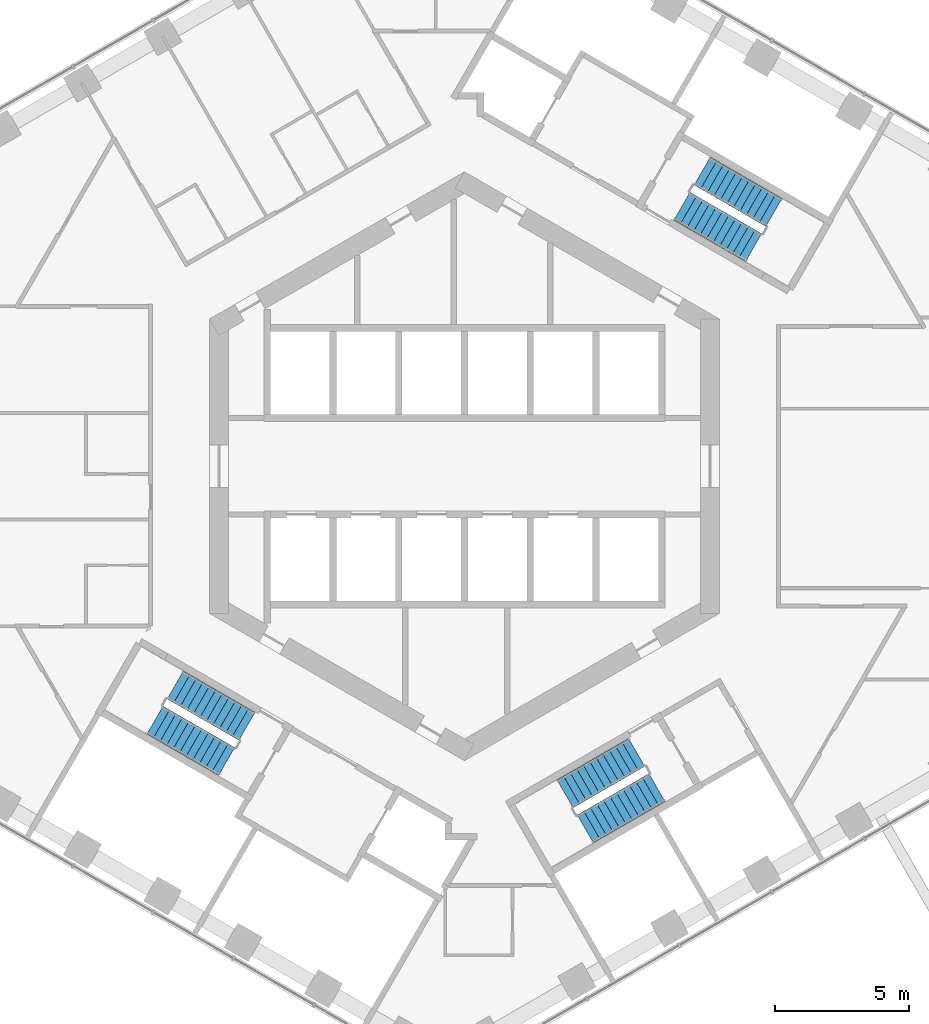
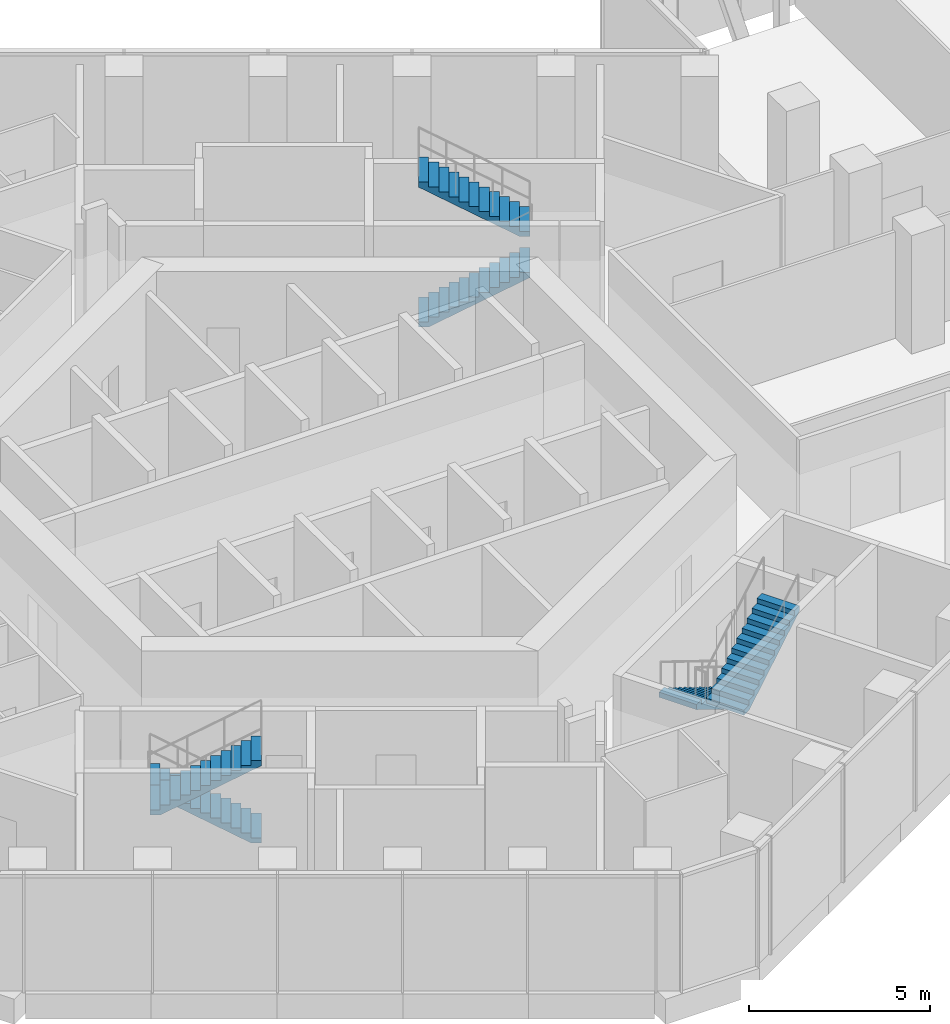
# One storey, part 22 of 24: 6 stair flights, 3 elements without a shape of their own.
"""IFC4 building model written with IfcOpenShell, lengths in metres."""

from ifc_helpers import new_model, si_unit, direction, frame, origin, place, context, subcontext, project, spatial, triangles, material, type_object, element, aggregate, save


model = new_model("IFC4")

# Units and contexts
model_context = context("Model", 3, precision=1e-05, world=origin(), true_north=direction((0.0, 1.0)))
body_context = subcontext(model_context, "Body", "Model", "MODEL_VIEW")
ifc_project = project(units=[si_unit("LENGTHUNIT", "METRE"), si_unit("AREAUNIT", "SQUARE_METRE"), si_unit("VOLUMEUNIT", "CUBIC_METRE"), si_unit("PLANEANGLEUNIT", "RADIAN"), si_unit("MASSUNIT", "GRAM", prefix="KILO")], contexts=[model_context])

# Site, building, storey
site_placement = place(None, origin())
site = spatial("IfcSite", under=ifc_project, at=site_placement, CompositionType="ELEMENT")
building_placement = place(site_placement, origin())
building = spatial("IfcBuilding", under=site, at=building_placement, Name="Ayvan Gate Tower", CompositionType="ELEMENT")
storey_placement = place(building_placement, frame((0.0, 0.0, 124.5)))
storey = spatial("IfcBuildingStorey", under=building, at=storey_placement, Name="L33", CompositionType="ELEMENT", Elevation=124.5)

# Stair, stair flights
ifc_material = material(Name="Concrete C40/50", Category="concrete")
stair_type = type_object("IfcStairType", Name="ST-EXIT", PredefinedType="HALF_TURN_STAIR", material=ifc_material)
stair_1_placement = place(storey_placement, origin())
stair_1 = element("IfcStair", 1, at=stair_1_placement, inside=storey, type_object=stair_type, Name="L33 Exit Stair S1", PredefinedType="HALF_TURN_STAIR")
stair_flight_type = type_object("IfcStairFlightType", Name="SFL-EXIT", PredefinedType="STRAIGHT", material=ifc_material)
stair_flight_1_placement = place(storey_placement, frame((8.106201171875, 9.690185546875, 0.0), z_axis=(0.0, 0.0, 1.0), x_axis=(0.866025403784, -0.5, 0.0)))
stair_flight_1 = element("IfcStairFlight", 2, at=stair_flight_1_placement, type_object=stair_flight_type, Name="STS1 flight 1", NumberOfRisers=12, NumberOfTreads=11, PredefinedType="STRAIGHT", RiserHeight=0.166666667, TreadLength=0.28, context=body_context, shape_type="Tessellation", body=[
    triangles([(0.293073, -0.599976, 0.0), (3.0805, -0.599976, 1.659182), (3.0805, -0.599976, 1.833333), (2.8, -0.599976, 1.833333), (2.8, -0.599976, 1.666667), (2.52, -0.599976, 1.666667), (2.52, -0.599976, 1.5), (2.24, -0.599976, 1.5), (2.24, -0.599976, 1.333333), (1.96, -0.599976, 1.333333), (1.96, -0.599976, 1.166667), (1.68, -0.599976, 1.166667), (1.68, -0.599976, 1.0), (1.4, -0.599976, 1.0), (1.4, -0.599976, 0.833333), (1.12, -0.599976, 0.833333), (1.12, -0.599976, 0.666667), (0.84, -0.599976, 0.666667), (0.84, -0.599976, 0.5), (0.56, -0.599976, 0.5), (0.56, -0.599976, 0.333333), (0.28, -0.599976, 0.333333), (0.28, -0.599976, 0.166667), (-0.0005, -0.599976, 0.166667), (-0.0005, -0.599976, 0.0), (0.293073, 0.0, 0.0), (3.0805, 0.0, 1.659182), (3.0805, 0.0, 1.833333), (2.8, 0.0, 1.833333), (2.8, 0.0, 1.666667), (2.52, 0.0, 1.666667), (2.52, 0.0, 1.5), (2.24, 0.0, 1.5), (2.24, 0.0, 1.333333), (1.96, 0.0, 1.333333), (1.96, 0.0, 1.166667), (1.68, 0.0, 1.166667), (1.68, 0.0, 1.0), (1.4, 0.0, 1.0), (1.4, 0.0, 0.833333), (1.12, 0.0, 0.833333), (1.12, 0.0, 0.666667), (0.84, 0.0, 0.666667), (0.84, 0.0, 0.5), (0.56, 0.0, 0.5), (0.56, 0.0, 0.333333), (0.28, 0.0, 0.333333), (0.28, 0.0, 0.166667), (-0.0005, 0.0, 0.166667), (-0.0005, 0.0, 0.0), (0.293073, 0.599976, 0.0), (3.0805, 0.599976, 1.659182), (3.0805, 0.599976, 1.833333), (2.8, 0.599976, 1.833333), (2.8, 0.599976, 1.666667), (2.52, 0.599976, 1.666667), (2.52, 0.599976, 1.5), (2.24, 0.599976, 1.5), (2.24, 0.599976, 1.333333), (1.96, 0.599976, 1.333333), (1.96, 0.599976, 1.166667), (1.68, 0.599976, 1.166667), (1.68, 0.599976, 1.0), (1.4, 0.599976, 1.0), (1.4, 0.599976, 0.833333), (1.12, 0.599976, 0.833333), (1.12, 0.599976, 0.666667), (0.84, 0.599976, 0.666667), (0.84, 0.599976, 0.5), (0.56, 0.599976, 0.5), (0.56, 0.599976, 0.333333), (0.28, 0.599976, 0.333333), (0.28, 0.599976, 0.166667), (-0.0005, 0.599976, 0.166667), (-0.0005, 0.599976, 0.0)], [[25, 1, 2], [75, 52, 51], [2, 3, 4], [52, 54, 53], [2, 4, 5], [52, 55, 54], [2, 5, 6], [52, 56, 55], [2, 6, 7], [52, 57, 56], [7, 8, 9], [57, 59, 58], [2, 7, 9], [52, 59, 57], [9, 10, 11], [59, 61, 60], [2, 9, 11], [52, 61, 59], [11, 12, 13], [61, 63, 62], [2, 11, 13], [52, 63, 61], [13, 14, 15], [63, 65, 64], [2, 13, 15], [52, 65, 63], [15, 16, 17], [65, 67, 66], [2, 15, 17], [52, 67, 65], [17, 18, 19], [67, 69, 68], [2, 17, 19], [52, 69, 67], [19, 20, 21], [69, 71, 70], [2, 19, 21], [52, 71, 69], [21, 22, 23], [71, 73, 72], [2, 21, 23], [52, 73, 71], [25, 2, 23], [75, 73, 52], [23, 24, 25], [73, 75, 74], [1, 26, 27], [1, 27, 2], [51, 27, 26], [51, 52, 27], [2, 27, 28], [2, 28, 3], [52, 28, 27], [52, 53, 28], [3, 28, 29], [3, 29, 4], [53, 29, 28], [53, 54, 29], [4, 29, 30], [4, 30, 5], [54, 30, 29], [54, 55, 30], [5, 30, 31], [5, 31, 6], [55, 31, 30], [55, 56, 31], [6, 31, 32], [6, 32, 7], [56, 32, 31], [56, 57, 32], [7, 32, 33], [7, 33, 8], [57, 33, 32], [57, 58, 33], [8, 33, 34], [8, 34, 9], [58, 34, 33], [58, 59, 34], [9, 34, 35], [9, 35, 10], [59, 35, 34], [59, 60, 35], [10, 35, 36], [10, 36, 11], [60, 36, 35], [60, 61, 36], [11, 36, 37], [11, 37, 12], [61, 37, 36], [61, 62, 37], [12, 37, 38], [12, 38, 13], [62, 38, 37], [62, 63, 38], [13, 38, 39], [13, 39, 14], [63, 39, 38], [63, 64, 39], [14, 39, 40], [14, 40, 15], [64, 40, 39], [64, 65, 40], [15, 40, 41], [15, 41, 16], [65, 41, 40], [65, 66, 41], [16, 41, 42], [16, 42, 17], [66, 42, 41], [66, 67, 42], [17, 42, 43], [17, 43, 18], [67, 43, 42], [67, 68, 43], [18, 43, 44], [18, 44, 19], [68, 44, 43], [68, 69, 44], [19, 44, 45], [19, 45, 20], [69, 45, 44], [69, 70, 45], [20, 45, 46], [20, 46, 21], [70, 46, 45], [70, 71, 46], [21, 46, 47], [21, 47, 22], [71, 47, 46], [71, 72, 47], [22, 47, 48], [22, 48, 23], [72, 48, 47], [72, 73, 48], [23, 48, 49], [23, 49, 24], [73, 49, 48], [73, 74, 49], [24, 49, 50], [24, 50, 25], [74, 50, 49], [74, 75, 50], [25, 50, 26], [25, 26, 1], [75, 26, 50], [75, 51, 26]], closed=True),
])
stair_flight_2_placement = place(storey_placement, frame((11.528564453125, 9.457763671875, 2.0), z_axis=(0.0, 0.0, 1.0), x_axis=(-0.866025403784, 0.5, 0.0)))
stair_flight_2 = element("IfcStairFlight", 3, at=stair_flight_2_placement, type_object=stair_flight_type, Name="STS1 flight 2", NumberOfRisers=12, NumberOfTreads=11, PredefinedType="STRAIGHT", RiserHeight=0.166666667, TreadLength=0.28, context=body_context, shape_type="Tessellation", body=[
    triangles([(0.293073, -0.599976, 0.0), (3.0805, -0.599976, 1.659182), (3.0805, -0.599976, 1.833333), (2.8, -0.599976, 1.833333), (2.8, -0.599976, 1.666667), (2.52, -0.599976, 1.666667), (2.52, -0.599976, 1.5), (2.24, -0.599976, 1.5), (2.24, -0.599976, 1.333333), (1.96, -0.599976, 1.333333), (1.96, -0.599976, 1.166667), (1.68, -0.599976, 1.166667), (1.68, -0.599976, 1.0), (1.4, -0.599976, 1.0), (1.4, -0.599976, 0.833333), (1.12, -0.599976, 0.833333), (1.12, -0.599976, 0.666667), (0.84, -0.599976, 0.666667), (0.84, -0.599976, 0.5), (0.56, -0.599976, 0.5), (0.56, -0.599976, 0.333333), (0.28, -0.599976, 0.333333), (0.28, -0.599976, 0.166667), (-0.0005, -0.599976, 0.166667), (-0.0005, -0.599976, 0.0), (0.293073, 0.0, 0.0), (3.0805, 0.0, 1.659182), (3.0805, 0.0, 1.833333), (2.8, 0.0, 1.833333), (2.8, 0.0, 1.666667), (2.52, 0.0, 1.666667), (2.52, 0.0, 1.5), (2.24, 0.0, 1.5), (2.24, 0.0, 1.333333), (1.96, 0.0, 1.333333), (1.96, 0.0, 1.166667), (1.68, 0.0, 1.166667), (1.68, 0.0, 1.0), (1.4, 0.0, 1.0), (1.4, 0.0, 0.833333), (1.12, 0.0, 0.833333), (1.12, 0.0, 0.666667), (0.84, 0.0, 0.666667), (0.84, 0.0, 0.5), (0.56, 0.0, 0.5), (0.56, 0.0, 0.333333), (0.28, 0.0, 0.333333), (0.28, 0.0, 0.166667), (-0.0005, 0.0, 0.166667), (-0.0005, 0.0, 0.0), (0.293073, 0.599976, 0.0), (3.0805, 0.599976, 1.659182), (3.0805, 0.599976, 1.833333), (2.8, 0.599976, 1.833333), (2.8, 0.599976, 1.666667), (2.52, 0.599976, 1.666667), (2.52, 0.599976, 1.5), (2.24, 0.599976, 1.5), (2.24, 0.599976, 1.333333), (1.96, 0.599976, 1.333333), (1.96, 0.599976, 1.166667), (1.68, 0.599976, 1.166667), (1.68, 0.599976, 1.0), (1.4, 0.599976, 1.0), (1.4, 0.599976, 0.833333), (1.12, 0.599976, 0.833333), (1.12, 0.599976, 0.666667), (0.84, 0.599976, 0.666667), (0.84, 0.599976, 0.5), (0.56, 0.599976, 0.5), (0.56, 0.599976, 0.333333), (0.28, 0.599976, 0.333333), (0.28, 0.599976, 0.166667), (-0.0005, 0.599976, 0.166667), (-0.0005, 0.599976, 0.0)], [[25, 1, 2], [75, 52, 51], [2, 3, 4], [52, 54, 53], [2, 4, 5], [52, 55, 54], [2, 5, 6], [52, 56, 55], [2, 6, 7], [52, 57, 56], [7, 8, 9], [57, 59, 58], [2, 7, 9], [52, 59, 57], [9, 10, 11], [59, 61, 60], [2, 9, 11], [52, 61, 59], [11, 12, 13], [61, 63, 62], [2, 11, 13], [52, 63, 61], [13, 14, 15], [63, 65, 64], [2, 13, 15], [52, 65, 63], [15, 16, 17], [65, 67, 66], [2, 15, 17], [52, 67, 65], [17, 18, 19], [67, 69, 68], [2, 17, 19], [52, 69, 67], [19, 20, 21], [69, 71, 70], [2, 19, 21], [52, 71, 69], [21, 22, 23], [71, 73, 72], [2, 21, 23], [52, 73, 71], [25, 2, 23], [75, 73, 52], [23, 24, 25], [73, 75, 74], [1, 26, 27], [1, 27, 2], [51, 27, 26], [51, 52, 27], [2, 27, 28], [2, 28, 3], [52, 28, 27], [52, 53, 28], [3, 28, 29], [3, 29, 4], [53, 29, 28], [53, 54, 29], [4, 29, 30], [4, 30, 5], [54, 30, 29], [54, 55, 30], [5, 30, 31], [5, 31, 6], [55, 31, 30], [55, 56, 31], [6, 31, 32], [6, 32, 7], [56, 32, 31], [56, 57, 32], [7, 32, 33], [7, 33, 8], [57, 33, 32], [57, 58, 33], [8, 33, 34], [8, 34, 9], [58, 34, 33], [58, 59, 34], [9, 34, 35], [9, 35, 10], [59, 35, 34], [59, 60, 35], [10, 35, 36], [10, 36, 11], [60, 36, 35], [60, 61, 36], [11, 36, 37], [11, 37, 12], [61, 37, 36], [61, 62, 37], [12, 37, 38], [12, 38, 13], [62, 38, 37], [62, 63, 38], [13, 38, 39], [13, 39, 14], [63, 39, 38], [63, 64, 39], [14, 39, 40], [14, 40, 15], [64, 40, 39], [64, 65, 40], [15, 40, 41], [15, 41, 16], [65, 41, 40], [65, 66, 41], [16, 41, 42], [16, 42, 17], [66, 42, 41], [66, 67, 42], [17, 42, 43], [17, 43, 18], [67, 43, 42], [67, 68, 43], [18, 43, 44], [18, 44, 19], [68, 44, 43], [68, 69, 44], [19, 44, 45], [19, 45, 20], [69, 45, 44], [69, 70, 45], [20, 45, 46], [20, 46, 21], [70, 46, 45], [70, 71, 46], [21, 46, 47], [21, 47, 22], [71, 47, 46], [71, 72, 47], [22, 47, 48], [22, 48, 23], [72, 48, 47], [72, 73, 48], [23, 48, 49], [23, 49, 24], [73, 49, 48], [73, 74, 49], [24, 49, 50], [24, 50, 25], [74, 50, 49], [74, 75, 50], [25, 50, 26], [25, 26, 1], [75, 26, 50], [75, 51, 26]], closed=True),
])
aggregate(stair_1, [stair_flight_1, stair_flight_2])

stair_2_placement = place(storey_placement, origin())
stair_2 = element("IfcStair", 4, at=stair_2_placement, inside=storey, type_object=stair_type, Name="L33 Exit Stair S2", PredefinedType="HALF_TURN_STAIR")
stair_flight_3_placement = place(storey_placement, frame((-8.106201171875, -9.690185546875, 0.0), z_axis=(0.0, 0.0, 1.0), x_axis=(-0.866025403784, 0.5, 0.0)))
stair_flight_3 = element("IfcStairFlight", 5, at=stair_flight_3_placement, type_object=stair_flight_type, Name="STS2 flight 1", NumberOfRisers=12, NumberOfTreads=11, PredefinedType="STRAIGHT", RiserHeight=0.166666667, TreadLength=0.28, context=body_context, shape_type="Tessellation", body=[
    triangles([(0.293073, -0.599976, 0.0), (3.0805, -0.599976, 1.659182), (3.0805, -0.599976, 1.833333), (2.8, -0.599976, 1.833333), (2.8, -0.599976, 1.666667), (2.52, -0.599976, 1.666667), (2.52, -0.599976, 1.5), (2.24, -0.599976, 1.5), (2.24, -0.599976, 1.333333), (1.96, -0.599976, 1.333333), (1.96, -0.599976, 1.166667), (1.68, -0.599976, 1.166667), (1.68, -0.599976, 1.0), (1.4, -0.599976, 1.0), (1.4, -0.599976, 0.833333), (1.12, -0.599976, 0.833333), (1.12, -0.599976, 0.666667), (0.84, -0.599976, 0.666667), (0.84, -0.599976, 0.5), (0.56, -0.599976, 0.5), (0.56, -0.599976, 0.333333), (0.28, -0.599976, 0.333333), (0.28, -0.599976, 0.166667), (-0.0005, -0.599976, 0.166667), (-0.0005, -0.599976, 0.0), (0.293073, 0.0, 0.0), (3.0805, 0.0, 1.659182), (3.0805, 0.0, 1.833333), (2.8, 0.0, 1.833333), (2.8, 0.0, 1.666667), (2.52, 0.0, 1.666667), (2.52, 0.0, 1.5), (2.24, 0.0, 1.5), (2.24, 0.0, 1.333333), (1.96, 0.0, 1.333333), (1.96, 0.0, 1.166667), (1.68, 0.0, 1.166667), (1.68, 0.0, 1.0), (1.4, 0.0, 1.0), (1.4, 0.0, 0.833333), (1.12, 0.0, 0.833333), (1.12, 0.0, 0.666667), (0.84, 0.0, 0.666667), (0.84, 0.0, 0.5), (0.56, 0.0, 0.5), (0.56, 0.0, 0.333333), (0.28, 0.0, 0.333333), (0.28, 0.0, 0.166667), (-0.0005, 0.0, 0.166667), (-0.0005, 0.0, 0.0), (0.293073, 0.599976, 0.0), (3.0805, 0.599976, 1.659182), (3.0805, 0.599976, 1.833333), (2.8, 0.599976, 1.833333), (2.8, 0.599976, 1.666667), (2.52, 0.599976, 1.666667), (2.52, 0.599976, 1.5), (2.24, 0.599976, 1.5), (2.24, 0.599976, 1.333333), (1.96, 0.599976, 1.333333), (1.96, 0.599976, 1.166667), (1.68, 0.599976, 1.166667), (1.68, 0.599976, 1.0), (1.4, 0.599976, 1.0), (1.4, 0.599976, 0.833333), (1.12, 0.599976, 0.833333), (1.12, 0.599976, 0.666667), (0.84, 0.599976, 0.666667), (0.84, 0.599976, 0.5), (0.56, 0.599976, 0.5), (0.56, 0.599976, 0.333333), (0.28, 0.599976, 0.333333), (0.28, 0.599976, 0.166667), (-0.0005, 0.599976, 0.166667), (-0.0005, 0.599976, 0.0)], [[25, 1, 2], [75, 52, 51], [2, 3, 4], [52, 54, 53], [2, 4, 5], [52, 55, 54], [2, 5, 6], [52, 56, 55], [2, 6, 7], [52, 57, 56], [7, 8, 9], [57, 59, 58], [2, 7, 9], [52, 59, 57], [9, 10, 11], [59, 61, 60], [2, 9, 11], [52, 61, 59], [11, 12, 13], [61, 63, 62], [2, 11, 13], [52, 63, 61], [13, 14, 15], [63, 65, 64], [2, 13, 15], [52, 65, 63], [15, 16, 17], [65, 67, 66], [2, 15, 17], [52, 67, 65], [17, 18, 19], [67, 69, 68], [2, 17, 19], [52, 69, 67], [19, 20, 21], [69, 71, 70], [2, 19, 21], [52, 71, 69], [21, 22, 23], [71, 73, 72], [2, 21, 23], [52, 73, 71], [25, 2, 23], [75, 73, 52], [23, 24, 25], [73, 75, 74], [1, 26, 27], [1, 27, 2], [51, 27, 26], [51, 52, 27], [2, 27, 28], [2, 28, 3], [52, 28, 27], [52, 53, 28], [3, 28, 29], [3, 29, 4], [53, 29, 28], [53, 54, 29], [4, 29, 30], [4, 30, 5], [54, 30, 29], [54, 55, 30], [5, 30, 31], [5, 31, 6], [55, 31, 30], [55, 56, 31], [6, 31, 32], [6, 32, 7], [56, 32, 31], [56, 57, 32], [7, 32, 33], [7, 33, 8], [57, 33, 32], [57, 58, 33], [8, 33, 34], [8, 34, 9], [58, 34, 33], [58, 59, 34], [9, 34, 35], [9, 35, 10], [59, 35, 34], [59, 60, 35], [10, 35, 36], [10, 36, 11], [60, 36, 35], [60, 61, 36], [11, 36, 37], [11, 37, 12], [61, 37, 36], [61, 62, 37], [12, 37, 38], [12, 38, 13], [62, 38, 37], [62, 63, 38], [13, 38, 39], [13, 39, 14], [63, 39, 38], [63, 64, 39], [14, 39, 40], [14, 40, 15], [64, 40, 39], [64, 65, 40], [15, 40, 41], [15, 41, 16], [65, 41, 40], [65, 66, 41], [16, 41, 42], [16, 42, 17], [66, 42, 41], [66, 67, 42], [17, 42, 43], [17, 43, 18], [67, 43, 42], [67, 68, 43], [18, 43, 44], [18, 44, 19], [68, 44, 43], [68, 69, 44], [19, 44, 45], [19, 45, 20], [69, 45, 44], [69, 70, 45], [20, 45, 46], [20, 46, 21], [70, 46, 45], [70, 71, 46], [21, 46, 47], [21, 47, 22], [71, 47, 46], [71, 72, 47], [22, 47, 48], [22, 48, 23], [72, 48, 47], [72, 73, 48], [23, 48, 49], [23, 49, 24], [73, 49, 48], [73, 74, 49], [24, 49, 50], [24, 50, 25], [74, 50, 49], [74, 75, 50], [25, 50, 26], [25, 26, 1], [75, 26, 50], [75, 51, 26]], closed=True),
])
stair_flight_4_placement = place(storey_placement, frame((-11.528564453125, -9.457763671875, 2.0), z_axis=(0.0, 0.0, 1.0), x_axis=(0.866025403784, -0.5, 0.0)))
stair_flight_4 = element("IfcStairFlight", 6, at=stair_flight_4_placement, type_object=stair_flight_type, Name="STS2 flight 2", NumberOfRisers=12, NumberOfTreads=11, PredefinedType="STRAIGHT", RiserHeight=0.166666667, TreadLength=0.28, context=body_context, shape_type="Tessellation", body=[
    triangles([(0.293073, -0.599976, 0.0), (3.0805, -0.599976, 1.659182), (3.0805, -0.599976, 1.833333), (2.8, -0.599976, 1.833333), (2.8, -0.599976, 1.666667), (2.52, -0.599976, 1.666667), (2.52, -0.599976, 1.5), (2.24, -0.599976, 1.5), (2.24, -0.599976, 1.333333), (1.96, -0.599976, 1.333333), (1.96, -0.599976, 1.166667), (1.68, -0.599976, 1.166667), (1.68, -0.599976, 1.0), (1.4, -0.599976, 1.0), (1.4, -0.599976, 0.833333), (1.12, -0.599976, 0.833333), (1.12, -0.599976, 0.666667), (0.84, -0.599976, 0.666667), (0.84, -0.599976, 0.5), (0.56, -0.599976, 0.5), (0.56, -0.599976, 0.333333), (0.28, -0.599976, 0.333333), (0.28, -0.599976, 0.166667), (-0.0005, -0.599976, 0.166667), (-0.0005, -0.599976, 0.0), (0.293073, 0.0, 0.0), (3.0805, 0.0, 1.659182), (3.0805, 0.0, 1.833333), (2.8, 0.0, 1.833333), (2.8, 0.0, 1.666667), (2.52, 0.0, 1.666667), (2.52, 0.0, 1.5), (2.24, 0.0, 1.5), (2.24, 0.0, 1.333333), (1.96, 0.0, 1.333333), (1.96, 0.0, 1.166667), (1.68, 0.0, 1.166667), (1.68, 0.0, 1.0), (1.4, 0.0, 1.0), (1.4, 0.0, 0.833333), (1.12, 0.0, 0.833333), (1.12, 0.0, 0.666667), (0.84, 0.0, 0.666667), (0.84, 0.0, 0.5), (0.56, 0.0, 0.5), (0.56, 0.0, 0.333333), (0.28, 0.0, 0.333333), (0.28, 0.0, 0.166667), (-0.0005, 0.0, 0.166667), (-0.0005, 0.0, 0.0), (0.293073, 0.599976, 0.0), (3.0805, 0.599976, 1.659182), (3.0805, 0.599976, 1.833333), (2.8, 0.599976, 1.833333), (2.8, 0.599976, 1.666667), (2.52, 0.599976, 1.666667), (2.52, 0.599976, 1.5), (2.24, 0.599976, 1.5), (2.24, 0.599976, 1.333333), (1.96, 0.599976, 1.333333), (1.96, 0.599976, 1.166667), (1.68, 0.599976, 1.166667), (1.68, 0.599976, 1.0), (1.4, 0.599976, 1.0), (1.4, 0.599976, 0.833333), (1.12, 0.599976, 0.833333), (1.12, 0.599976, 0.666667), (0.84, 0.599976, 0.666667), (0.84, 0.599976, 0.5), (0.56, 0.599976, 0.5), (0.56, 0.599976, 0.333333), (0.28, 0.599976, 0.333333), (0.28, 0.599976, 0.166667), (-0.0005, 0.599976, 0.166667), (-0.0005, 0.599976, 0.0)], [[25, 1, 2], [75, 52, 51], [2, 3, 4], [52, 54, 53], [2, 4, 5], [52, 55, 54], [2, 5, 6], [52, 56, 55], [2, 6, 7], [52, 57, 56], [7, 8, 9], [57, 59, 58], [2, 7, 9], [52, 59, 57], [9, 10, 11], [59, 61, 60], [2, 9, 11], [52, 61, 59], [11, 12, 13], [61, 63, 62], [2, 11, 13], [52, 63, 61], [13, 14, 15], [63, 65, 64], [2, 13, 15], [52, 65, 63], [15, 16, 17], [65, 67, 66], [2, 15, 17], [52, 67, 65], [17, 18, 19], [67, 69, 68], [2, 17, 19], [52, 69, 67], [19, 20, 21], [69, 71, 70], [2, 19, 21], [52, 71, 69], [21, 22, 23], [71, 73, 72], [2, 21, 23], [52, 73, 71], [25, 2, 23], [75, 73, 52], [23, 24, 25], [73, 75, 74], [1, 26, 27], [1, 27, 2], [51, 27, 26], [51, 52, 27], [2, 27, 28], [2, 28, 3], [52, 28, 27], [52, 53, 28], [3, 28, 29], [3, 29, 4], [53, 29, 28], [53, 54, 29], [4, 29, 30], [4, 30, 5], [54, 30, 29], [54, 55, 30], [5, 30, 31], [5, 31, 6], [55, 31, 30], [55, 56, 31], [6, 31, 32], [6, 32, 7], [56, 32, 31], [56, 57, 32], [7, 32, 33], [7, 33, 8], [57, 33, 32], [57, 58, 33], [8, 33, 34], [8, 34, 9], [58, 34, 33], [58, 59, 34], [9, 34, 35], [9, 35, 10], [59, 35, 34], [59, 60, 35], [10, 35, 36], [10, 36, 11], [60, 36, 35], [60, 61, 36], [11, 36, 37], [11, 37, 12], [61, 37, 36], [61, 62, 37], [12, 37, 38], [12, 38, 13], [62, 38, 37], [62, 63, 38], [13, 38, 39], [13, 39, 14], [63, 39, 38], [63, 64, 39], [14, 39, 40], [14, 40, 15], [64, 40, 39], [64, 65, 40], [15, 40, 41], [15, 41, 16], [65, 41, 40], [65, 66, 41], [16, 41, 42], [16, 42, 17], [66, 42, 41], [66, 67, 42], [17, 42, 43], [17, 43, 18], [67, 43, 42], [67, 68, 43], [18, 43, 44], [18, 44, 19], [68, 44, 43], [68, 69, 44], [19, 44, 45], [19, 45, 20], [69, 45, 44], [69, 70, 45], [20, 45, 46], [20, 46, 21], [70, 46, 45], [70, 71, 46], [21, 46, 47], [21, 47, 22], [71, 47, 46], [71, 72, 47], [22, 47, 48], [22, 48, 23], [72, 48, 47], [72, 73, 48], [23, 48, 49], [23, 49, 24], [73, 49, 48], [73, 74, 49], [24, 49, 50], [24, 50, 25], [74, 50, 49], [74, 75, 50], [25, 50, 26], [25, 26, 1], [75, 26, 50], [75, 51, 26]], closed=True),
])
aggregate(stair_2, [stair_flight_3, stair_flight_4])

stair_3_placement = place(storey_placement, origin())
stair_3 = element("IfcStair", 7, at=stair_3_placement, inside=storey, type_object=stair_type, Name="L33 Exit Stair S3", PredefinedType="HALF_TURN_STAIR")
stair_flight_5_placement = place(storey_placement, frame((6.417236328125, -10.665283203125, 0.0), z_axis=(0.0, 0.0, 1.0), x_axis=(-0.866025403784, -0.5, 0.0)))
stair_flight_5 = element("IfcStairFlight", 8, at=stair_flight_5_placement, type_object=stair_flight_type, Name="STS3 flight 1", NumberOfRisers=12, NumberOfTreads=11, PredefinedType="STRAIGHT", RiserHeight=0.166666667, TreadLength=0.28, context=body_context, shape_type="Tessellation", body=[
    triangles([(0.293073, -0.599976, 0.0), (3.0805, -0.599976, 1.659182), (3.0805, -0.599976, 1.833333), (2.8, -0.599976, 1.833333), (2.8, -0.599976, 1.666667), (2.52, -0.599976, 1.666667), (2.52, -0.599976, 1.5), (2.24, -0.599976, 1.5), (2.24, -0.599976, 1.333333), (1.96, -0.599976, 1.333333), (1.96, -0.599976, 1.166667), (1.68, -0.599976, 1.166667), (1.68, -0.599976, 1.0), (1.4, -0.599976, 1.0), (1.4, -0.599976, 0.833333), (1.12, -0.599976, 0.833333), (1.12, -0.599976, 0.666667), (0.84, -0.599976, 0.666667), (0.84, -0.599976, 0.5), (0.56, -0.599976, 0.5), (0.56, -0.599976, 0.333333), (0.28, -0.599976, 0.333333), (0.28, -0.599976, 0.166667), (-0.0005, -0.599976, 0.166667), (-0.0005, -0.599976, 0.0), (0.293073, 0.0, 0.0), (3.0805, 0.0, 1.659182), (3.0805, 0.0, 1.833333), (2.8, 0.0, 1.833333), (2.8, 0.0, 1.666667), (2.52, 0.0, 1.666667), (2.52, 0.0, 1.5), (2.24, 0.0, 1.5), (2.24, 0.0, 1.333333), (1.96, 0.0, 1.333333), (1.96, 0.0, 1.166667), (1.68, 0.0, 1.166667), (1.68, 0.0, 1.0), (1.4, 0.0, 1.0), (1.4, 0.0, 0.833333), (1.12, 0.0, 0.833333), (1.12, 0.0, 0.666667), (0.84, 0.0, 0.666667), (0.84, 0.0, 0.5), (0.56, 0.0, 0.5), (0.56, 0.0, 0.333333), (0.28, 0.0, 0.333333), (0.28, 0.0, 0.166667), (-0.0005, 0.0, 0.166667), (-0.0005, 0.0, 0.0), (0.293073, 0.599976, 0.0), (3.0805, 0.599976, 1.659182), (3.0805, 0.599976, 1.833333), (2.8, 0.599976, 1.833333), (2.8, 0.599976, 1.666667), (2.52, 0.599976, 1.666667), (2.52, 0.599976, 1.5), (2.24, 0.599976, 1.5), (2.24, 0.599976, 1.333333), (1.96, 0.599976, 1.333333), (1.96, 0.599976, 1.166667), (1.68, 0.599976, 1.166667), (1.68, 0.599976, 1.0), (1.4, 0.599976, 1.0), (1.4, 0.599976, 0.833333), (1.12, 0.599976, 0.833333), (1.12, 0.599976, 0.666667), (0.84, 0.599976, 0.666667), (0.84, 0.599976, 0.5), (0.56, 0.599976, 0.5), (0.56, 0.599976, 0.333333), (0.28, 0.599976, 0.333333), (0.28, 0.599976, 0.166667), (-0.0005, 0.599976, 0.166667), (-0.0005, 0.599976, 0.0)], [[25, 1, 2], [75, 52, 51], [2, 3, 4], [52, 54, 53], [2, 4, 5], [52, 55, 54], [2, 5, 6], [52, 56, 55], [2, 6, 7], [52, 57, 56], [7, 8, 9], [57, 59, 58], [2, 7, 9], [52, 59, 57], [9, 10, 11], [59, 61, 60], [2, 9, 11], [52, 61, 59], [11, 12, 13], [61, 63, 62], [2, 11, 13], [52, 63, 61], [13, 14, 15], [63, 65, 64], [2, 13, 15], [52, 65, 63], [15, 16, 17], [65, 67, 66], [2, 15, 17], [52, 67, 65], [17, 18, 19], [67, 69, 68], [2, 17, 19], [52, 69, 67], [19, 20, 21], [69, 71, 70], [2, 19, 21], [52, 71, 69], [21, 22, 23], [71, 73, 72], [2, 21, 23], [52, 73, 71], [25, 2, 23], [75, 73, 52], [23, 24, 25], [73, 75, 74], [1, 26, 27], [1, 27, 2], [51, 27, 26], [51, 52, 27], [2, 27, 28], [2, 28, 3], [52, 28, 27], [52, 53, 28], [3, 28, 29], [3, 29, 4], [53, 29, 28], [53, 54, 29], [4, 29, 30], [4, 30, 5], [54, 30, 29], [54, 55, 30], [5, 30, 31], [5, 31, 6], [55, 31, 30], [55, 56, 31], [6, 31, 32], [6, 32, 7], [56, 32, 31], [56, 57, 32], [7, 32, 33], [7, 33, 8], [57, 33, 32], [57, 58, 33], [8, 33, 34], [8, 34, 9], [58, 34, 33], [58, 59, 34], [9, 34, 35], [9, 35, 10], [59, 35, 34], [59, 60, 35], [10, 35, 36], [10, 36, 11], [60, 36, 35], [60, 61, 36], [11, 36, 37], [11, 37, 12], [61, 37, 36], [61, 62, 37], [12, 37, 38], [12, 38, 13], [62, 38, 37], [62, 63, 38], [13, 38, 39], [13, 39, 14], [63, 39, 38], [63, 64, 39], [14, 39, 40], [14, 40, 15], [64, 40, 39], [64, 65, 40], [15, 40, 41], [15, 41, 16], [65, 41, 40], [65, 66, 41], [16, 41, 42], [16, 42, 17], [66, 42, 41], [66, 67, 42], [17, 42, 43], [17, 43, 18], [67, 43, 42], [67, 68, 43], [18, 43, 44], [18, 44, 19], [68, 44, 43], [68, 69, 44], [19, 44, 45], [19, 45, 20], [69, 45, 44], [69, 70, 45], [20, 45, 46], [20, 46, 21], [70, 46, 45], [70, 71, 46], [21, 46, 47], [21, 47, 22], [71, 47, 46], [71, 72, 47], [22, 47, 48], [22, 48, 23], [72, 48, 47], [72, 73, 48], [23, 48, 49], [23, 49, 24], [73, 49, 48], [73, 74, 49], [24, 49, 50], [24, 50, 25], [74, 50, 49], [74, 75, 50], [25, 50, 26], [25, 26, 1], [75, 26, 50], [75, 51, 26]], closed=True),
])
stair_flight_6_placement = place(storey_placement, frame((4.5048828125, -13.512939453125, 2.0), z_axis=(0.0, 0.0, 1.0), x_axis=(0.866025403784, 0.5, 0.0)))
stair_flight_6 = element("IfcStairFlight", 9, at=stair_flight_6_placement, type_object=stair_flight_type, Name="STS3 flight 2", NumberOfRisers=12, NumberOfTreads=11, PredefinedType="STRAIGHT", RiserHeight=0.166666667, TreadLength=0.28, context=body_context, shape_type="Tessellation", body=[
    triangles([(0.293073, -0.599976, 0.0), (3.0805, -0.599976, 1.659182), (3.0805, -0.599976, 1.833333), (2.8, -0.599976, 1.833333), (2.8, -0.599976, 1.666667), (2.52, -0.599976, 1.666667), (2.52, -0.599976, 1.5), (2.24, -0.599976, 1.5), (2.24, -0.599976, 1.333333), (1.96, -0.599976, 1.333333), (1.96, -0.599976, 1.166667), (1.68, -0.599976, 1.166667), (1.68, -0.599976, 1.0), (1.4, -0.599976, 1.0), (1.4, -0.599976, 0.833333), (1.12, -0.599976, 0.833333), (1.12, -0.599976, 0.666667), (0.84, -0.599976, 0.666667), (0.84, -0.599976, 0.5), (0.56, -0.599976, 0.5), (0.56, -0.599976, 0.333333), (0.28, -0.599976, 0.333333), (0.28, -0.599976, 0.166667), (-0.0005, -0.599976, 0.166667), (-0.0005, -0.599976, 0.0), (0.293073, 0.0, 0.0), (3.0805, 0.0, 1.659182), (3.0805, 0.0, 1.833333), (2.8, 0.0, 1.833333), (2.8, 0.0, 1.666667), (2.52, 0.0, 1.666667), (2.52, 0.0, 1.5), (2.24, 0.0, 1.5), (2.24, 0.0, 1.333333), (1.96, 0.0, 1.333333), (1.96, 0.0, 1.166667), (1.68, 0.0, 1.166667), (1.68, 0.0, 1.0), (1.4, 0.0, 1.0), (1.4, 0.0, 0.833333), (1.12, 0.0, 0.833333), (1.12, 0.0, 0.666667), (0.84, 0.0, 0.666667), (0.84, 0.0, 0.5), (0.56, 0.0, 0.5), (0.56, 0.0, 0.333333), (0.28, 0.0, 0.333333), (0.28, 0.0, 0.166667), (-0.0005, 0.0, 0.166667), (-0.0005, 0.0, 0.0), (0.293073, 0.599976, 0.0), (3.0805, 0.599976, 1.659182), (3.0805, 0.599976, 1.833333), (2.8, 0.599976, 1.833333), (2.8, 0.599976, 1.666667), (2.52, 0.599976, 1.666667), (2.52, 0.599976, 1.5), (2.24, 0.599976, 1.5), (2.24, 0.599976, 1.333333), (1.96, 0.599976, 1.333333), (1.96, 0.599976, 1.166667), (1.68, 0.599976, 1.166667), (1.68, 0.599976, 1.0), (1.4, 0.599976, 1.0), (1.4, 0.599976, 0.833333), (1.12, 0.599976, 0.833333), (1.12, 0.599976, 0.666667), (0.84, 0.599976, 0.666667), (0.84, 0.599976, 0.5), (0.56, 0.599976, 0.5), (0.56, 0.599976, 0.333333), (0.28, 0.599976, 0.333333), (0.28, 0.599976, 0.166667), (-0.0005, 0.599976, 0.166667), (-0.0005, 0.599976, 0.0)], [[25, 1, 2], [75, 52, 51], [2, 3, 4], [52, 54, 53], [2, 4, 5], [52, 55, 54], [2, 5, 6], [52, 56, 55], [2, 6, 7], [52, 57, 56], [7, 8, 9], [57, 59, 58], [2, 7, 9], [52, 59, 57], [9, 10, 11], [59, 61, 60], [2, 9, 11], [52, 61, 59], [11, 12, 13], [61, 63, 62], [2, 11, 13], [52, 63, 61], [13, 14, 15], [63, 65, 64], [2, 13, 15], [52, 65, 63], [15, 16, 17], [65, 67, 66], [2, 15, 17], [52, 67, 65], [17, 18, 19], [67, 69, 68], [2, 17, 19], [52, 69, 67], [19, 20, 21], [69, 71, 70], [2, 19, 21], [52, 71, 69], [21, 22, 23], [71, 73, 72], [2, 21, 23], [52, 73, 71], [25, 2, 23], [75, 73, 52], [23, 24, 25], [73, 75, 74], [1, 26, 27], [1, 27, 2], [51, 27, 26], [51, 52, 27], [2, 27, 28], [2, 28, 3], [52, 28, 27], [52, 53, 28], [3, 28, 29], [3, 29, 4], [53, 29, 28], [53, 54, 29], [4, 29, 30], [4, 30, 5], [54, 30, 29], [54, 55, 30], [5, 30, 31], [5, 31, 6], [55, 31, 30], [55, 56, 31], [6, 31, 32], [6, 32, 7], [56, 32, 31], [56, 57, 32], [7, 32, 33], [7, 33, 8], [57, 33, 32], [57, 58, 33], [8, 33, 34], [8, 34, 9], [58, 34, 33], [58, 59, 34], [9, 34, 35], [9, 35, 10], [59, 35, 34], [59, 60, 35], [10, 35, 36], [10, 36, 11], [60, 36, 35], [60, 61, 36], [11, 36, 37], [11, 37, 12], [61, 37, 36], [61, 62, 37], [12, 37, 38], [12, 38, 13], [62, 38, 37], [62, 63, 38], [13, 38, 39], [13, 39, 14], [63, 39, 38], [63, 64, 39], [14, 39, 40], [14, 40, 15], [64, 40, 39], [64, 65, 40], [15, 40, 41], [15, 41, 16], [65, 41, 40], [65, 66, 41], [16, 41, 42], [16, 42, 17], [66, 42, 41], [66, 67, 42], [17, 42, 43], [17, 43, 18], [67, 43, 42], [67, 68, 43], [18, 43, 44], [18, 44, 19], [68, 44, 43], [68, 69, 44], [19, 44, 45], [19, 45, 20], [69, 45, 44], [69, 70, 45], [20, 45, 46], [20, 46, 21], [70, 46, 45], [70, 71, 46], [21, 46, 47], [21, 47, 22], [71, 47, 46], [71, 72, 47], [22, 47, 48], [22, 48, 23], [72, 48, 47], [72, 73, 48], [23, 48, 49], [23, 49, 24], [73, 49, 48], [73, 74, 49], [24, 49, 50], [24, 50, 25], [74, 50, 49], [74, 75, 50], [25, 50, 26], [25, 26, 1], [75, 26, 50], [75, 51, 26]], closed=True),
])
aggregate(stair_3, [stair_flight_5, stair_flight_6])

save(model, "model.ifc")
